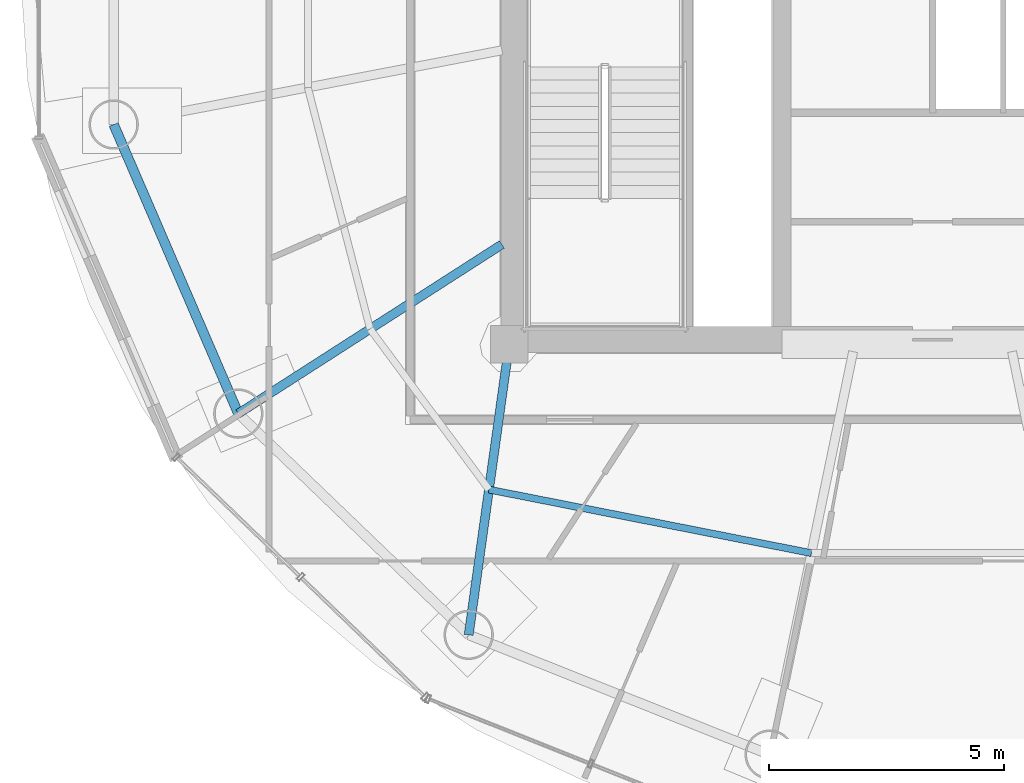
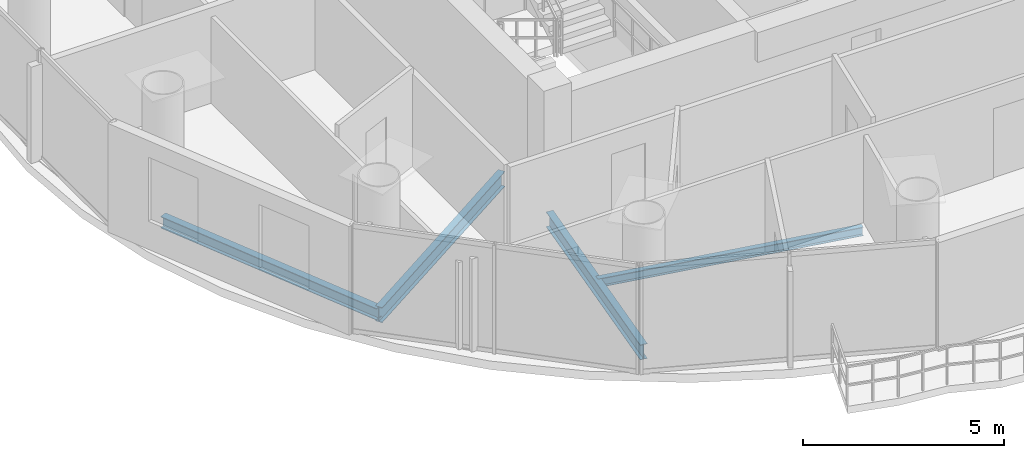
# One storey, part 3 of 23: 4 beams.
"""IFC4 building model written with IfcOpenShell, lengths in metres."""

from ifc_helpers import new_model, si_unit, direction, frame, origin, origin_2d, place, context, subcontext, project, spatial, i_section, extrude, material, material_profile, profile_set, type_object, element, save


model = new_model("IFC4")

# Units and contexts
model_context = context("Model", 3, precision=1e-05, world=origin(), true_north=direction((-0.2419218956, 0.970295726276)))
body_context = subcontext(model_context, "Body", "Model", "MODEL_VIEW")
ifc_project = project(units=[si_unit("LENGTHUNIT", "METRE"), si_unit("AREAUNIT", "SQUARE_METRE"), si_unit("VOLUMEUNIT", "CUBIC_METRE"), si_unit("PLANEANGLEUNIT", "RADIAN"), si_unit("MASSUNIT", "GRAM", prefix="KILO")], contexts=[model_context])

# Site, building, storey
site_placement = place(None, origin())
site = spatial("IfcSite", under=ifc_project, at=site_placement, CompositionType="ELEMENT")
building_placement = place(site_placement, origin())
building = spatial("IfcBuilding", under=site, at=building_placement, Name="Cobrevalo Terracotta Tower", CompositionType="ELEMENT")
storey_placement = place(building_placement, frame((0.0, 0.0, 296.949951171875)))
storey = spatial("IfcBuildingStorey", under=building, at=storey_placement, Name="L78", CompositionType="ELEMENT", Elevation=296.949951171875)

# Beams
ifc_material = material(Name="Steel S355", Category="steel")
ifc_material_profile_1 = material_profile(ifc_material, i_section(OverallWidth=0.19091796875, OverallDepth=0.4599609375, WebThickness=0.010009765625, FlangeThickness=0.01611328125, at=origin_2d()), Name="W 460x82")
ifc_profile_set_1 = profile_set([ifc_material_profile_1], Name="Steel S355")
beam_type_1 = type_object("IfcBeamType", Name="Structural Beam W 460x82 (Steel S355)", PredefinedType="BEAM", material=ifc_profile_set_1)
beam_1_placement = place(storey_placement, frame((23.241455078125, 17.32763671875, -0.489990234375), z_axis=(0.84157615512, 0.540138477739, 0.0), x_axis=(-0.540138477739, 0.84157615512, 0.0)))
element("IfcBeam", 1, at=beam_1_placement, inside=storey, type_object=beam_type_1, Name="L78 radial floor girder 10", PredefinedType="BEAM", context=body_context, shape_type="SweptSolid", body=[
    extrude(i_section(OverallWidth=0.19091796875, OverallDepth=0.4599609375, WebThickness=0.010009765625, FlangeThickness=0.01611328125, at=origin_2d()), origin(), (0.0, 0.0, 1.0), 6.658447265625),
])
beam_2_placement = place(storey_placement, frame((28.138671875, 12.62353515625, -0.489990234375), z_axis=(0.138115657759, 0.990416107039, 0.0), x_axis=(-0.990416107039, 0.138115657759, 0.0)))
element("IfcBeam", 2, at=beam_2_placement, inside=storey, type_object=beam_type_1, Name="L78 radial floor girder 11", PredefinedType="BEAM", context=body_context, shape_type="SweptSolid", body=[
    extrude(i_section(OverallWidth=0.19091796875, OverallDepth=0.4599609375, WebThickness=0.010009765625, FlangeThickness=0.01611328125, at=origin_2d()), origin(), (0.0, 0.0, 1.0), 6.236328125),
])
ifc_material_profile_2 = material_profile(ifc_material, i_section(OverallWidth=0.14794921875, OverallDepth=0.26611328125, WebThickness=0.007568359375, FlangeThickness=0.012939453125, at=origin_2d()), Name="W 250x44.8")
ifc_profile_set_2 = profile_set([ifc_material_profile_2], Name="Steel S355")
beam_type_2 = type_object("IfcBeamType", Name="Structural Joist W 250x44.8 (Steel S355)", PredefinedType="JOIST", material=ifc_profile_set_2)
beam_3_placement = place(storey_placement, frame((28.5693359375, 15.711669921875, -0.39306640625), z_axis=(0.981145060421, -0.193272787563, 0.0), x_axis=(0.193272787563, 0.981145060421, 0.0)))
element("IfcBeam", 3, at=beam_3_placement, inside=storey, type_object=beam_type_2, Name="L78 circumferential secondary floor joist 11", PredefinedType="JOIST", context=body_context, shape_type="SweptSolid", body=[
    extrude(i_section(OverallWidth=0.14794921875, OverallDepth=0.26611328125, WebThickness=0.007568359375, FlangeThickness=0.012939453125, at=origin_2d()), origin(), (0.0, 0.0, 1.0), 6.98681640625),
])
ifc_material_profile_3 = material_profile(ifc_material, i_section(OverallWidth=0.205078125, OverallDepth=0.35400390625, WebThickness=0.009521484375, FlangeThickness=0.016845703125, at=origin_2d()), Name="W 360x79")
ifc_profile_set_3 = profile_set([ifc_material_profile_3], Name="Steel S355")
beam_type_3 = type_object("IfcBeamType", Name="Structural Spandrel W 360x79 (Steel S355)", PredefinedType="SPANDREL", material=ifc_profile_set_3)
beam_4_placement = place(storey_placement, frame((20.591064453125, 23.4736328125, -0.43701171875), z_axis=(0.395987390706, -0.918255948198, 0.0), x_axis=(0.918255948198, 0.395987390706, 0.0)))
element("IfcBeam", 4, at=beam_4_placement, inside=storey, type_object=beam_type_3, Name="L78 perimeter ring spandrel 09", PredefinedType="SPANDREL", context=body_context, shape_type="SweptSolid", body=[
    extrude(i_section(OverallWidth=0.205078125, OverallDepth=0.35400390625, WebThickness=0.009521484375, FlangeThickness=0.016845703125, at=origin_2d()), origin(), (0.0, 0.0, 1.0), 6.693115234375),
])

save(model, "model.ifc")
